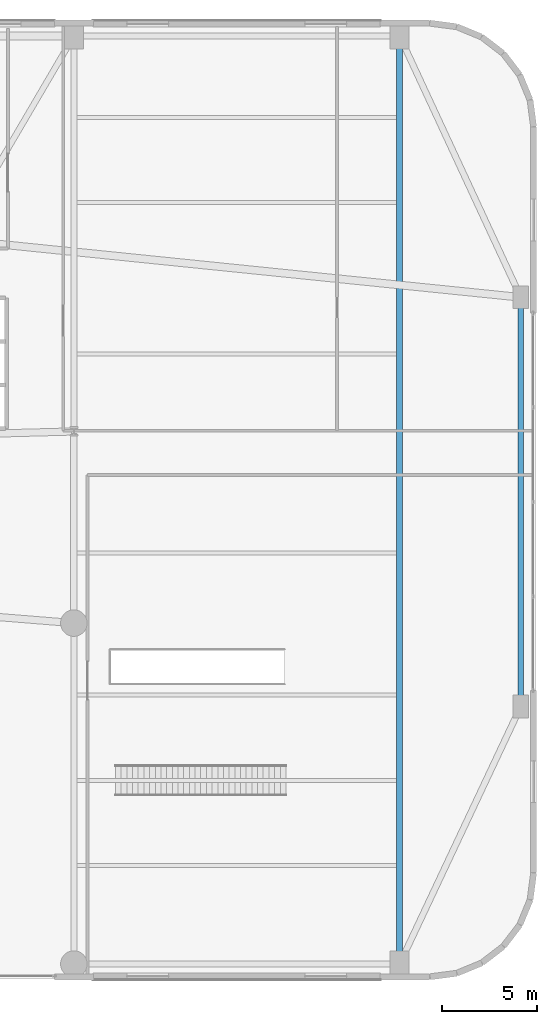
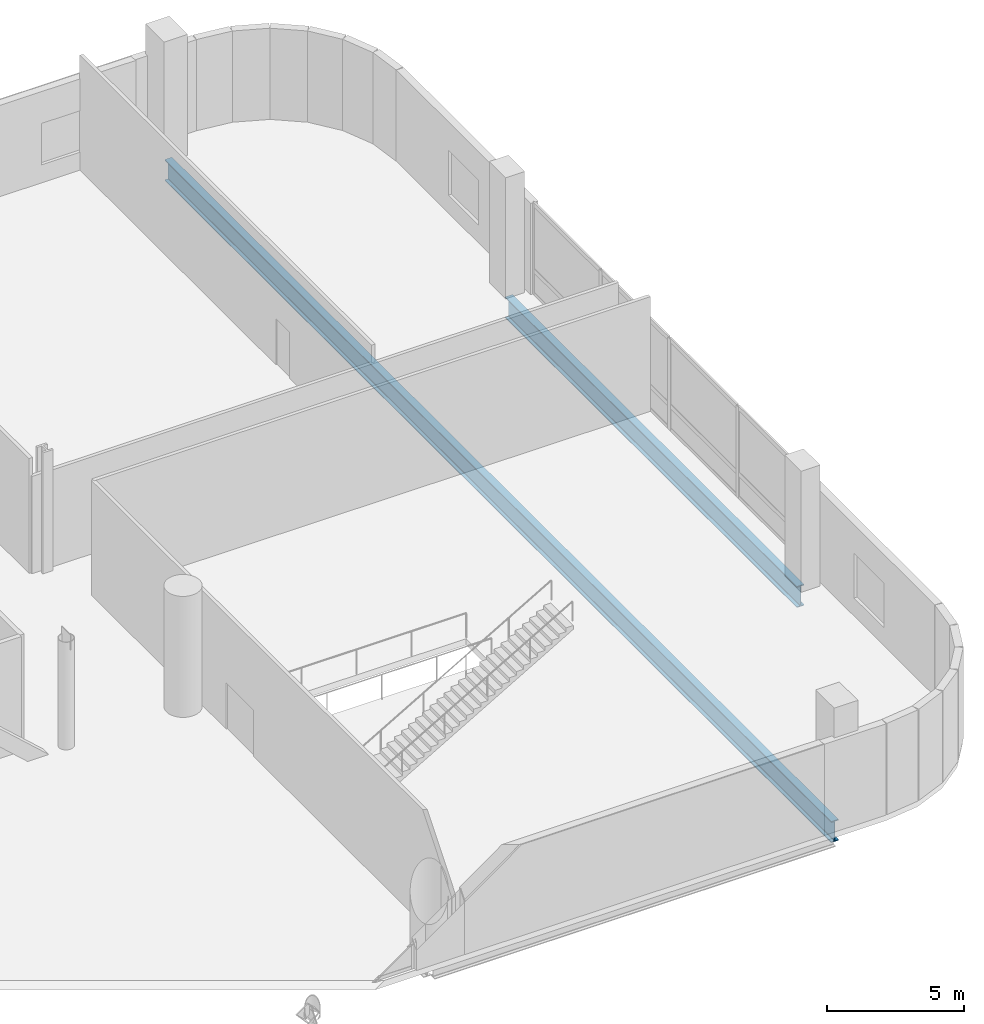
# One storey, part 20 of 36: 2 beams.
"""IFC4 building model written with IfcOpenShell, lengths in metres."""

from ifc_helpers import new_model, si_unit, direction, frame, origin, origin_2d, place, context, subcontext, project, spatial, i_section, extrude, material, material_profile, profile_set, type_object, element, save


model = new_model("IFC4")

# Units and contexts
model_context = context("Model", 3, precision=1e-05, world=origin(), true_north=direction((0.0, 1.0)))
body_context = subcontext(model_context, "Body", "Model", "MODEL_VIEW")
ifc_project = project(units=[si_unit("LENGTHUNIT", "METRE"), si_unit("AREAUNIT", "SQUARE_METRE"), si_unit("VOLUMEUNIT", "CUBIC_METRE"), si_unit("PLANEANGLEUNIT", "RADIAN"), si_unit("MASSUNIT", "GRAM", prefix="KILO")], contexts=[model_context])

# Site, building, storey
site_placement = place(None, origin())
site = spatial("IfcSite", under=ifc_project, at=site_placement, CompositionType="ELEMENT")
building_placement = place(site_placement, origin())
building = spatial("IfcBuilding", under=site, at=building_placement, Name="Varnelok Gate Tower", CompositionType="ELEMENT")
storey_placement = place(building_placement, frame((0.0, 0.0, 10.800048828125)))
storey = spatial("IfcBuildingStorey", under=building, at=storey_placement, Name="L02", CompositionType="ELEMENT", Elevation=10.800048828125)

# Beams
ifc_material = material(Name="Structural Steel ASTM A992 Grade 50", Category="steel")
ifc_material_profile = material_profile(ifc_material, i_section(OverallWidth=0.30810546875, OverallDepth=0.943115234375, WebThickness=0.022216796875, FlangeThickness=0.039794921875, FilletRadius=0.02587890625, at=origin_2d()), Name="W36X232")
ifc_profile_set = profile_set([ifc_material_profile], Name="Structural Steel ASTM A992 Grade 50")
beam_type = type_object("IfcBeamType", Name="BM-PRI-W36X232", PredefinedType="BEAM", material=ifc_profile_set)
beam_1_placement = place(storey_placement, frame((77.60009765625, 14.5400390625, -0.75146484375), z_axis=(0.0, 1.0, 0.0), x_axis=(-1.0, 0.0, 0.0)))
element("IfcBeam", 1, at=beam_1_placement, inside=storey, type_object=beam_type, Name="L02 Podium Primary Girder 7", PredefinedType="BEAM", context=body_context, shape_type="SweptSolid", body=[
    extrude(i_section(OverallWidth=0.30810546875, OverallDepth=0.943115234375, WebThickness=0.022216796875, FlangeThickness=0.039794921875, FilletRadius=0.02587890625, at=origin_2d()), origin(), (0.0, 0.0, 1.0), 21.320068359375),
])
beam_2_placement = place(storey_placement, frame((71.199951171875, 0.93994140625, -0.75146484375), z_axis=(0.0, 1.0, 0.0), x_axis=(-1.0, 0.0, 0.0)))
element("IfcBeam", 2, at=beam_2_placement, inside=storey, type_object=beam_type, Name="L02 Podium Primary Girder 15", PredefinedType="BEAM", context=body_context, shape_type="SweptSolid", body=[
    extrude(i_section(OverallWidth=0.30810546875, OverallDepth=0.943115234375, WebThickness=0.022216796875, FlangeThickness=0.039794921875, FilletRadius=0.02587890625, at=origin_2d()), origin(), (0.0, 0.0, 1.0), 48.719970703125),
])

save(model, "model.ifc")
